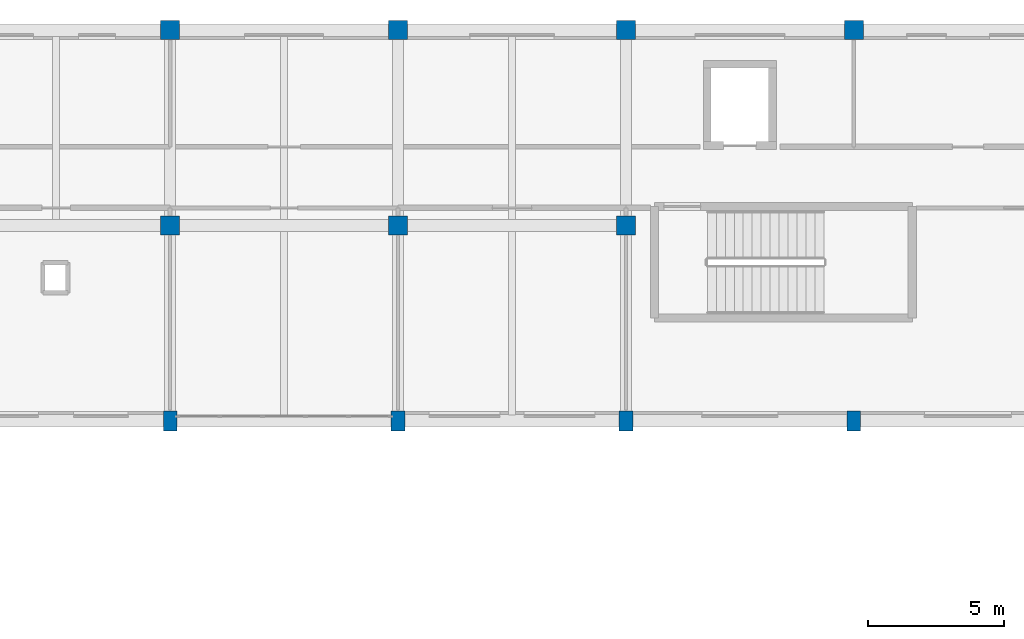
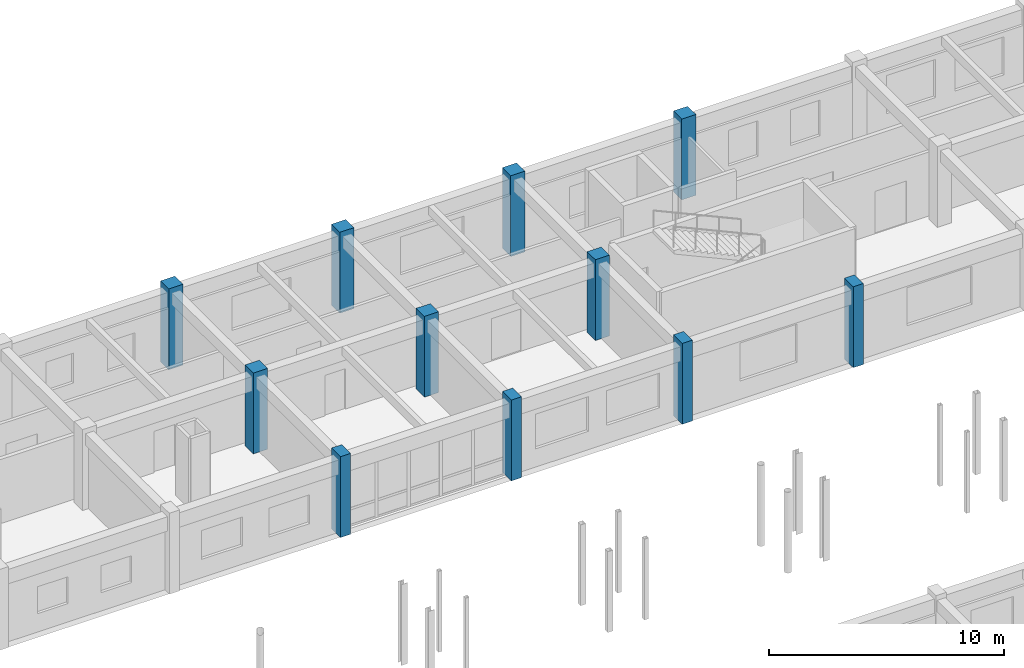
# One storey, part 16 of 90: 11 columns.
"""IFC4 building model written with IfcOpenShell, lengths in metres."""

from ifc_helpers import new_model, si_unit, direction, frame, origin, origin_2d, place, context, subcontext, project, spatial, rectangle, extrude, material, material_profile, profile_set, type_object, element, save


model = new_model("IFC4")

# Units and contexts
model_context = context("Model", 3, precision=1e-05, world=origin(), true_north=direction((0.0, 1.0)))
body_context = subcontext(model_context, "Body", "Model", "MODEL_VIEW")
ifc_project = project(units=[si_unit("LENGTHUNIT", "METRE"), si_unit("AREAUNIT", "SQUARE_METRE"), si_unit("VOLUMEUNIT", "CUBIC_METRE"), si_unit("PLANEANGLEUNIT", "RADIAN"), si_unit("MASSUNIT", "GRAM", prefix="KILO")], contexts=[model_context])

# Site, building, storey
site_placement = place(None, origin())
site = spatial("IfcSite", under=ifc_project, at=site_placement, CompositionType="ELEMENT")
building_placement = place(site_placement, origin())
building = spatial("IfcBuilding", under=site, at=building_placement, Name="Malvenik Polytechnic", CompositionType="ELEMENT")
storey_placement = place(building_placement, frame((0.0, 0.0, 9.300048828125)))
storey = spatial("IfcBuildingStorey", under=building, at=storey_placement, Name="L02", CompositionType="ELEMENT", Elevation=9.300048828125)

# Columns
ifc_material_1 = material(Name="Concrete C40/50", Category="concrete")
ifc_material_profile_1 = material_profile(ifc_material_1, rectangle(XDim=0.699951171875, YDim=0.699951171875, at=origin_2d()), Name="RC COL 700x700")
ifc_profile_set_1 = profile_set([ifc_material_profile_1], Name="Concrete C40/50")
column_type_1 = type_object("IfcColumnType", Name="STR-COL-C-04", PredefinedType="COLUMN", material=ifc_profile_set_1)
for number, where, z_axis, x_axis, name in (
    (1, (33.60009765625, 122.39990234375, 0.0), (0.0, 0.0, 1.0), (1.0, 0.0, 0.0), "Column C-04 L02 (33.6,122.4)"),
    (2, (33.60009765625, 129.60009765625, 0.0), (0.0, 0.0, 1.0), (1.0, 0.0, 0.0), "Column C-04 L02 (33.6,129.6)"),
    (3, (42.0, 122.39990234375, 0.0), (0.0, 0.0, 1.0), (1.0, 0.0, 0.0), "Column C-04 L02 (42.0,122.4)"),
    (4, (42.0, 129.60009765625, 0.0), (0.0, 0.0, 1.0), (1.0, 0.0, 0.0), "Column C-04 L02 (42.0,129.6)"),
    (5, (50.39990234375, 122.39990234375, 0.0), (0.0, 0.0, 1.0), (1.0, 0.0, 0.0), "Column C-04 L02 (50.4,122.4)"),
    (6, (50.39990234375, 129.60009765625, 0.0), (0.0, 0.0, 1.0), (1.0, 0.0, 0.0), "Column C-04 L02 (50.4,129.6)"),
    (7, (58.800048828125, 129.60009765625, 0.0), (0.0, 0.0, 1.0), (1.0, 0.0, 0.0), "Column C-04 L02 (58.8,129.6)"),
):
    element("IfcColumn", number, at=place(storey_placement, frame(where, z_axis=z_axis, x_axis=x_axis)), inside=storey, type_object=column_type_1, Name=name, PredefinedType="COLUMN", context=body_context, shape_type="SweptSolid", body=[
        extrude(rectangle(XDim=0.699951171875, YDim=0.699951171875, at=origin_2d()), origin(), (0.0, 0.0, 1.0), 4.199951171875),
    ])
ifc_material_2 = material(Name="Concrete C35/45", Category="concrete")
ifc_material_profile_2 = material_profile(ifc_material_2, rectangle(XDim=0.5, YDim=0.75, at=origin_2d()), Name="RC COL 750x500")
ifc_profile_set_2 = profile_set([ifc_material_profile_2], Name="Concrete C35/45")
column_type_2 = type_object("IfcColumnType", Name="STR-COL-C-14", PredefinedType="COLUMN", material=ifc_profile_set_2)
for number, where, z_axis, x_axis, name in (
    (8, (33.60009765625, 115.199951171875, 0.0), (0.0, 0.0, 1.0), (1.0, 0.0, 0.0), "Column C-14 L02 (33.6,115.2)"),
    (9, (42.0, 115.199951171875, 0.0), (0.0, 0.0, 1.0), (1.0, 0.0, 0.0), "Column C-14 L02 (42.0,115.2)"),
    (10, (50.39990234375, 115.199951171875, 0.0), (0.0, 0.0, 1.0), (1.0, 0.0, 0.0), "Column C-14 L02 (50.4,115.2)"),
    (11, (58.800048828125, 115.199951171875, 0.0), (0.0, 0.0, 1.0), (1.0, 0.0, 0.0), "Column C-14 L02 (58.8,115.2)"),
):
    element("IfcColumn", number, at=place(storey_placement, frame(where, z_axis=z_axis, x_axis=x_axis)), inside=storey, type_object=column_type_2, Name=name, PredefinedType="COLUMN", context=body_context, shape_type="SweptSolid", body=[
        extrude(rectangle(XDim=0.5, YDim=0.75, at=origin_2d()), origin(), (0.0, 0.0, 1.0), 4.199951171875),
    ])

save(model, "model.ifc")
